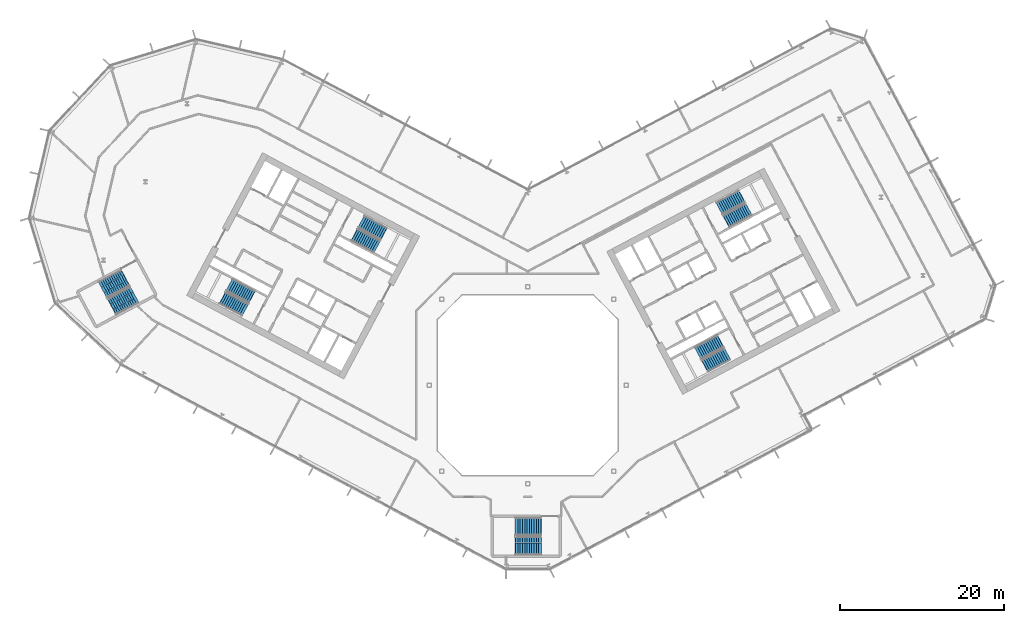
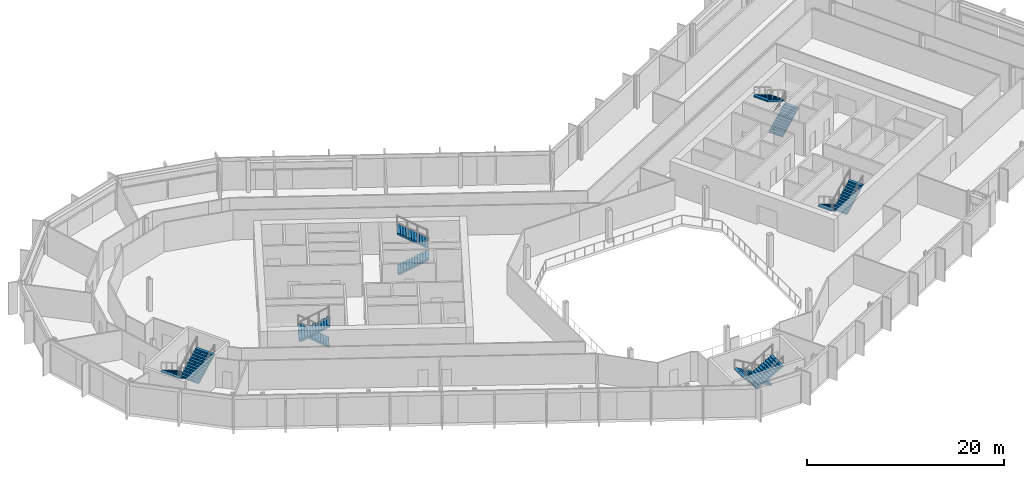
# One storey, part 18 of 28: 12 stair flights, 6 elements without a shape of their own.
"""IFC4 building model written with IfcOpenShell, lengths in metres."""

import ifcopenshell
import ifcopenshell.guid

model = None  # the IFC model being written
_history = None  # IfcOwnerHistory: only IFC2X3 demands one
_inside = {}  # id of a spatial element -> (the spatial element, [elements in it])
_under = {}  # id of a project, library or spatial element -> (it, [spatial elements below it])
_declared = {}  # id of a project -> (the project, [libraries it declares])
_typed = {}  # id of a type object -> (the type object, [elements of that type])
_made_of = {}  # id of a material, layer set ... -> (it, [elements and type objects made of it])


def new_model(schema):
    """Start an empty IFC model of exactly this schema.

    Asked for "IFC4X3", IfcOpenShell would pick the latest addendum, in which some entities
    have other attributes; the version numbers below select the first issue.
    IFC2X3 requires an IfcOwnerHistory on every rooted entity: one is made here for all.
    """
    global model, _history
    if schema == "IFC4X3":
        model = ifcopenshell.file(schema_version=(4, 3, 0, 0))
    else:
        model = ifcopenshell.file(schema=schema)
    _inside.clear()
    _under.clear()
    _declared.clear()
    _typed.clear()
    _made_of.clear()
    _history = None
    if model.schema == "IFC2X3":
        org = make("IfcOrganization", Name="unknown")
        user = make(
            "IfcPersonAndOrganization",
            ThePerson=make("IfcPerson", FamilyName="unknown"),
            TheOrganization=org,
        )
        app = make(
            "IfcApplication",
            ApplicationDeveloper=org,
            Version="unknown",
            ApplicationFullName="unknown",
            ApplicationIdentifier="unknown",
        )
        _history = make(
            "IfcOwnerHistory",
            OwningUser=user,
            OwningApplication=app,
            ChangeAction="ADDED",
            CreationDate=0,
        )
    return model


def make(cls, **values):
    """One entity of the class cls with the attributes given. An attribute that is None is left unset."""
    return model.create_entity(
        cls, **{name: value for name, value in values.items() if value is not None}
    )


def rooted(cls, **values):
    """An entity with a GlobalId (a new one), such as an element, a storey or a relation."""
    return make(cls, GlobalId=ifcopenshell.guid.new(), OwnerHistory=_history, **values)


def si_unit(unit_type, name, prefix=None):
    """IfcSIUnit, for example si_unit("LENGTHUNIT", "METRE", prefix="MILLI")."""
    return make("IfcSIUnit", UnitType=unit_type, Prefix=prefix, Name=name)


def assignment(units):
    """IfcUnitAssignment: the units of a project."""
    return None if units is None else make("IfcUnitAssignment", Units=units)


def point(xyz):
    """IfcCartesianPoint."""
    return None if xyz is None else make("IfcCartesianPoint", Coordinates=xyz)


def direction(xyz):
    """IfcDirection."""
    return None if xyz is None else make("IfcDirection", DirectionRatios=xyz)


def frame(location, z_axis=None, x_axis=None):
    """IfcAxis2Placement3D, a coordinate frame: its origin and axes. An axis left out is left unset."""
    return make(
        "IfcAxis2Placement3D",
        Location=point(location),
        Axis=direction(z_axis),
        RefDirection=direction(x_axis),
    )


def origin():
    """The frame at (0, 0, 0) with its axes left unset."""
    return frame((0.0, 0.0, 0.0))


def place(relative_to, where):
    """IfcLocalPlacement: puts the frame where relative to a parent placement (None: the world)."""
    return make(
        "IfcLocalPlacement", PlacementRelTo=relative_to, RelativePlacement=where
    )


def context(
    kind, dimensions, precision=None, world=None, true_north=None, identifier=None
):
    """IfcGeometricRepresentationContext, for example the 3D "Model" context."""
    return make(
        "IfcGeometricRepresentationContext",
        ContextIdentifier=identifier,
        ContextType=kind,
        CoordinateSpaceDimension=dimensions,
        Precision=precision,
        WorldCoordinateSystem=world,
        TrueNorth=true_north,
    )


def subcontext(parent, identifier, kind, view, scale=None):
    """IfcGeometricRepresentationSubContext, for example "Body" below "Model"."""
    return make(
        "IfcGeometricRepresentationSubContext",
        ContextIdentifier=identifier,
        ContextType=kind,
        ParentContext=parent,
        TargetScale=scale,
        TargetView=view,
    )


def project(units=None, contexts=None):
    """IfcProject with its units and contexts."""
    return rooted(
        "IfcProject",
        Name="project",
        RepresentationContexts=contexts,
        UnitsInContext=assignment(units),
    )


def spatial(cls, under=None, at=None, **own):
    """A site, building, storey or space (cls), placed at a placement, below another one or the project."""
    s = rooted(cls, ObjectPlacement=at, **own)
    if under is not None:
        _under.setdefault(under.id(), (under, []))[1].append(s)
    return s


def polyline(points):
    """IfcPolyline through the points."""
    return make("IfcPolyline", Points=[point(p) for p in points])


def outline(outer, holes=None, kind="AREA"):
    """IfcArbitraryClosedProfileDef: a profile drawn as a closed curve; with holes, ...WithVoids."""
    if holes is None:
        return make("IfcArbitraryClosedProfileDef", ProfileType=kind, OuterCurve=outer)
    return make(
        "IfcArbitraryProfileDefWithVoids",
        ProfileType=kind,
        OuterCurve=outer,
        InnerCurves=holes,
    )


def extrude(swept, where, along, depth):
    """IfcExtrudedAreaSolid: the profile swept, set in the frame where, extruded along a direction by depth."""
    return make(
        "IfcExtrudedAreaSolid",
        SweptArea=swept,
        Position=where,
        ExtrudedDirection=direction(along),
        Depth=depth,
    )


def shape(context_of_items, identifier, shape_type, items):
    """IfcShapeRepresentation: the items that make up one representation, for example the "Body"."""
    return make(
        "IfcShapeRepresentation",
        ContextOfItems=context_of_items,
        RepresentationIdentifier=identifier,
        RepresentationType=shape_type,
        Items=items,
    )


def material(Name=None, Category=None):
    """IfcMaterial."""
    return make("IfcMaterial", Name=Name, Category=Category)


def made_of(thing, what):
    """Note that an element or type object is made of a material, layer set ...; save() writes the relation."""
    if what is not None:
        _made_of.setdefault(what.id(), (what, []))[1].append(thing)
    return thing


def type_object(cls, material=None, **own):
    """A type object (cls), such as IfcWallType, which elements share."""
    return made_of(rooted(cls, **own), material)


def element(
    cls,
    number,
    at=None,
    inside=None,
    cuts=None,
    type_object=None,
    material=None,
    context=None,
    identifier="Body",
    shape_type=None,
    held_by="IfcProductDefinitionShape",
    body=None,
    shapes=None,
    **own,
):
    """One element of the class cls, such as IfcWall. Its Tag is "e" and its number.

    at: its placement. inside: the storey or other place that contains it. cuts: it is an
    opening in that element (IfcRelVoidsElement). A single representation is given by context,
    identifier, shape_type and body (its items); several are given by shapes. held_by: the class
    of the entity that holds the representations. save() writes the other relations.
    """
    e = rooted(cls, Tag="e%d" % number, ObjectPlacement=at, **own)
    if body is not None:
        shapes = [shape(context, identifier, shape_type, body)]
    if shapes is not None:
        e.Representation = make(held_by, Representations=shapes)
    if inside is not None:
        _inside.setdefault(inside.id(), (inside, []))[1].append(e)
    if cuts is not None:
        rooted(
            "IfcRelVoidsElement", RelatingBuildingElement=cuts, RelatedOpeningElement=e
        )
    if type_object is not None:
        _typed.setdefault(type_object.id(), (type_object, []))[1].append(e)
    return made_of(e, material)


def aggregate(whole, parts):
    """IfcRelAggregates: a whole, such as a stair, and the parts it consists of."""
    return rooted("IfcRelAggregates", RelatingObject=whole, RelatedObjects=parts)


def save(model, path):
    """Write the relations noted so far, then the file.

    IfcRelAggregates (storeys below a building ...), IfcRelContainedInSpatialStructure (elements
    in a storey), IfcRelDefinesByType, IfcRelAssociatesMaterial and IfcRelDeclares: one each for
    every whole, place, type object, material and project.
    """
    for whole, parts in _under.values():
        aggregate(whole, parts)
    for where, things in _inside.values():
        rooted(
            "IfcRelContainedInSpatialStructure",
            RelatedElements=things,
            RelatingStructure=where,
        )
    for kind, things in _typed.values():
        rooted("IfcRelDefinesByType", RelatedObjects=things, RelatingType=kind)
    for what, things in _made_of.values():
        rooted("IfcRelAssociatesMaterial", RelatedObjects=things, RelatingMaterial=what)
    for by, libraries in _declared.values():
        rooted("IfcRelDeclares", RelatingContext=by, RelatedDefinitions=libraries)
    model.write(path)


model = new_model("IFC4")

# Units and contexts
model_context = context("Model", 3, precision=1e-05, world=origin(), true_north=direction((0.0, 1.0)))
body_context = subcontext(model_context, "Body", "Model", "MODEL_VIEW")
ifc_project = project(units=[si_unit("LENGTHUNIT", "METRE"), si_unit("AREAUNIT", "SQUARE_METRE"), si_unit("VOLUMEUNIT", "CUBIC_METRE"), si_unit("PLANEANGLEUNIT", "RADIAN"), si_unit("MASSUNIT", "GRAM", prefix="KILO")], contexts=[model_context])

# Site, building, storey
site_placement = place(None, origin())
site = spatial("IfcSite", under=ifc_project, at=site_placement, CompositionType="ELEMENT")
building_placement = place(site_placement, origin())
building = spatial("IfcBuilding", under=site, at=building_placement, Name="Cormorant Relay Tower", CompositionType="ELEMENT")
storey_placement = place(building_placement, frame((0.0, 0.0, 154.199951171875)))
storey = spatial("IfcBuildingStorey", under=building, at=storey_placement, Name="L32", CompositionType="ELEMENT", Elevation=154.199951171875)

# Stair, stair flights
ifc_material_1 = material(Name="Concrete 40 MPa", Category="concrete")
stair_type_1 = type_object("IfcStairType", Name="Exit stair 1500", PredefinedType="HALF_TURN_STAIR", material=ifc_material_1)
stair_1_placement = place(storey_placement, origin())
stair_1 = element("IfcStair", 1, at=stair_1_placement, inside=storey, type_object=stair_type_1, Name="L32 Stair", PredefinedType="HALF_TURN_STAIR")
ifc_material_2 = material(Name="Concrete 40 MPa", Category="concrete")
stair_flight_type_1 = type_object("IfcStairFlightType", Name="Exit stair flight 1650", PredefinedType="STRAIGHT", material=ifc_material_2)
stair_flight_1_placement = place(storey_placement, frame((-21.114501953125, 18.33349609375, 0.0), z_axis=(0.0, 0.0, 1.0), x_axis=(0.882947592859, -0.469471562786, 0.0)))
stair_flight_1 = element("IfcStairFlight", 2, at=stair_flight_1_placement, type_object=stair_flight_type_1, Name="A1 flight 1", NumberOfRisers=12, NumberOfTreads=11, PredefinedType="STRAIGHT", RiserHeight=0.166666667, TreadLength=0.28, context=body_context, shape_type="SweptSolid", body=[
    extrude(outline(polyline([(-0.050048828125, -0.080078125), (-0.050048828125, 0.0), (0.0, 0.0), (0.0, 0.166748046875), (0.280029296875, 0.166748046875), (0.280029296875, 0.333251953125), (0.56005859375, 0.333251953125), (0.56005859375, 0.5), (0.840087890625, 0.5), (0.840087890625, 0.666748046875), (1.1201171875, 0.666748046875), (1.1201171875, 0.833251953125), (1.39990234375, 0.833251953125), (1.39990234375, 1.0), (1.679931640625, 1.0), (1.679931640625, 1.166748046875), (1.9599609375, 1.166748046875), (1.9599609375, 1.333251953125), (2.239990234375, 1.333251953125), (2.239990234375, 1.5), (2.52001953125, 1.5), (2.52001953125, 1.666748046875), (2.800048828125, 1.666748046875), (2.800048828125, 1.833251953125), (3.080078125, 1.833251953125), (3.130126953125, 1.833251953125), (3.130126953125, 1.658935546875), (3.080078125, 1.658935546875), (0.29296875, 0.0), (-0.050048828125, -0.080078125)])), frame((0.0, 0.824951171875, 0.0), z_axis=(0.0, -1.0, 0.0), x_axis=(1.0, 0.0, 0.0)), (0.0, 0.0, 1.0), 1.64990234375),
])
stair_flight_2_placement = place(storey_placement, frame((-17.5498046875, 18.47705078125, 2.0), z_axis=(0.0, 0.0, 1.0), x_axis=(-0.882947592859, 0.469471562786, 0.0)))
stair_flight_2 = element("IfcStairFlight", 3, at=stair_flight_2_placement, type_object=stair_flight_type_1, Name="A1 flight 2", NumberOfRisers=12, NumberOfTreads=11, PredefinedType="STRAIGHT", RiserHeight=0.166666667, TreadLength=0.28, context=body_context, shape_type="SweptSolid", body=[
    extrude(outline(polyline([(-0.050048828125, -0.080078125), (-0.050048828125, 0.0), (0.0, 0.0), (0.0, 0.166748046875), (0.280029296875, 0.166748046875), (0.280029296875, 0.333251953125), (0.56005859375, 0.333251953125), (0.56005859375, 0.5), (0.840087890625, 0.5), (0.840087890625, 0.666748046875), (1.1201171875, 0.666748046875), (1.1201171875, 0.833251953125), (1.39990234375, 0.833251953125), (1.39990234375, 1.0), (1.679931640625, 1.0), (1.679931640625, 1.166748046875), (1.9599609375, 1.166748046875), (1.9599609375, 1.333251953125), (2.239990234375, 1.333251953125), (2.239990234375, 1.5), (2.52001953125, 1.5), (2.52001953125, 1.666748046875), (2.800048828125, 1.666748046875), (2.800048828125, 1.833251953125), (3.080078125, 1.833251953125), (3.130126953125, 1.833251953125), (3.130126953125, 1.658935546875), (3.080078125, 1.658935546875), (0.29296875, 0.0), (-0.050048828125, -0.080078125)])), frame((0.0, 0.824951171875, 0.0), z_axis=(0.0, -1.0, 0.0), x_axis=(1.0, 0.0, 0.0)), (0.0, 0.0, 1.0), 1.64990234375),
])
aggregate(stair_1, [stair_flight_1, stair_flight_2])

stair_2_placement = place(storey_placement, origin())
stair_2 = element("IfcStair", 4, at=stair_2_placement, inside=storey, type_object=stair_type_1, Name="L32 Stair", PredefinedType="HALF_TURN_STAIR")
stair_flight_3_placement = place(storey_placement, frame((-33.62841796875, 10.773681640625, 0.0), z_axis=(0.0, 0.0, 1.0), x_axis=(-0.882947592859, 0.469471562786, 0.0)))
stair_flight_3 = element("IfcStairFlight", 5, at=stair_flight_3_placement, type_object=stair_flight_type_1, Name="A2 flight 1", NumberOfRisers=12, NumberOfTreads=11, PredefinedType="STRAIGHT", RiserHeight=0.166666667, TreadLength=0.28, context=body_context, shape_type="SweptSolid", body=[
    extrude(outline(polyline([(-0.050048828125, -0.080078125), (-0.050048828125, 0.0), (0.0, 0.0), (0.0, 0.166748046875), (0.280029296875, 0.166748046875), (0.280029296875, 0.333251953125), (0.56005859375, 0.333251953125), (0.56005859375, 0.5), (0.840087890625, 0.5), (0.840087890625, 0.666748046875), (1.1201171875, 0.666748046875), (1.1201171875, 0.833251953125), (1.39990234375, 0.833251953125), (1.39990234375, 1.0), (1.679931640625, 1.0), (1.679931640625, 1.166748046875), (1.9599609375, 1.166748046875), (1.9599609375, 1.333251953125), (2.239990234375, 1.333251953125), (2.239990234375, 1.5), (2.52001953125, 1.5), (2.52001953125, 1.666748046875), (2.800048828125, 1.666748046875), (2.800048828125, 1.833251953125), (3.080078125, 1.833251953125), (3.130126953125, 1.833251953125), (3.130126953125, 1.658935546875), (3.080078125, 1.658935546875), (0.29296875, 0.0), (-0.050048828125, -0.080078125)])), frame((0.0, 0.824951171875, 0.0), z_axis=(0.0, -1.0, 0.0), x_axis=(1.0, 0.0, 0.0)), (0.0, 0.0, 1.0), 1.64990234375),
])
stair_flight_4_placement = place(storey_placement, frame((-37.19287109375, 10.63037109375, 2.0), z_axis=(0.0, 0.0, 1.0), x_axis=(0.882947592859, -0.469471562786, 0.0)))
stair_flight_4 = element("IfcStairFlight", 6, at=stair_flight_4_placement, type_object=stair_flight_type_1, Name="A2 flight 2", NumberOfRisers=12, NumberOfTreads=11, PredefinedType="STRAIGHT", RiserHeight=0.166666667, TreadLength=0.28, context=body_context, shape_type="SweptSolid", body=[
    extrude(outline(polyline([(-0.050048828125, -0.080078125), (-0.050048828125, 0.0), (0.0, 0.0), (0.0, 0.166748046875), (0.280029296875, 0.166748046875), (0.280029296875, 0.333251953125), (0.56005859375, 0.333251953125), (0.56005859375, 0.5), (0.840087890625, 0.5), (0.840087890625, 0.666748046875), (1.1201171875, 0.666748046875), (1.1201171875, 0.833251953125), (1.39990234375, 0.833251953125), (1.39990234375, 1.0), (1.679931640625, 1.0), (1.679931640625, 1.166748046875), (1.9599609375, 1.166748046875), (1.9599609375, 1.333251953125), (2.239990234375, 1.333251953125), (2.239990234375, 1.5), (2.52001953125, 1.5), (2.52001953125, 1.666748046875), (2.800048828125, 1.666748046875), (2.800048828125, 1.833251953125), (3.080078125, 1.833251953125), (3.130126953125, 1.833251953125), (3.130126953125, 1.658935546875), (3.080078125, 1.658935546875), (0.29296875, 0.0), (-0.050048828125, -0.080078125)])), frame((0.0, 0.824951171875, 0.0), z_axis=(0.0, -1.0, 0.0), x_axis=(1.0, 0.0, 0.0)), (0.0, 0.0, 1.0), 1.64990234375),
])
aggregate(stair_2, [stair_flight_3, stair_flight_4])

stair_3_placement = place(storey_placement, origin())
stair_3 = element("IfcStair", 7, at=stair_3_placement, inside=storey, type_object=stair_type_1, Name="L32 Stair", PredefinedType="HALF_TURN_STAIR")
stair_flight_5_placement = place(storey_placement, frame((23.474365234375, 5.374755859375, 0.0), z_axis=(0.0, 0.0, 1.0), x_axis=(-0.882947592859, -0.469471562786, 0.0)))
stair_flight_5 = element("IfcStairFlight", 8, at=stair_flight_5_placement, type_object=stair_flight_type_1, Name="B1 flight 1", NumberOfRisers=12, NumberOfTreads=11, PredefinedType="STRAIGHT", RiserHeight=0.166666667, TreadLength=0.28, context=body_context, shape_type="SweptSolid", body=[
    extrude(outline(polyline([(-0.050048828125, -0.080078125), (-0.050048828125, 0.0), (0.0, 0.0), (0.0, 0.166748046875), (0.280029296875, 0.166748046875), (0.280029296875, 0.333251953125), (0.56005859375, 0.333251953125), (0.56005859375, 0.5), (0.840087890625, 0.5), (0.840087890625, 0.666748046875), (1.1201171875, 0.666748046875), (1.1201171875, 0.833251953125), (1.39990234375, 0.833251953125), (1.39990234375, 1.0), (1.679931640625, 1.0), (1.679931640625, 1.166748046875), (1.9599609375, 1.166748046875), (1.9599609375, 1.333251953125), (2.239990234375, 1.333251953125), (2.239990234375, 1.5), (2.52001953125, 1.5), (2.52001953125, 1.666748046875), (2.800048828125, 1.666748046875), (2.800048828125, 1.833251953125), (3.080078125, 1.833251953125), (3.130126953125, 1.833251953125), (3.130126953125, 1.658935546875), (3.080078125, 1.658935546875), (0.29296875, 0.0), (-0.050048828125, -0.080078125)])), frame((0.0, 0.824951171875, 0.0), z_axis=(0.0, -1.0, 0.0), x_axis=(1.0, 0.0, 0.0)), (0.0, 0.0, 1.0), 1.64990234375),
])
stair_flight_6_placement = place(storey_placement, frame((21.60009765625, 2.33935546875, 2.0), z_axis=(0.0, 0.0, 1.0), x_axis=(0.882947592859, 0.469471562786, 0.0)))
stair_flight_6 = element("IfcStairFlight", 9, at=stair_flight_6_placement, type_object=stair_flight_type_1, Name="B1 flight 2", NumberOfRisers=12, NumberOfTreads=11, PredefinedType="STRAIGHT", RiserHeight=0.166666667, TreadLength=0.28, context=body_context, shape_type="SweptSolid", body=[
    extrude(outline(polyline([(-0.050048828125, -0.080078125), (-0.050048828125, 0.0), (0.0, 0.0), (0.0, 0.166748046875), (0.280029296875, 0.166748046875), (0.280029296875, 0.333251953125), (0.56005859375, 0.333251953125), (0.56005859375, 0.5), (0.840087890625, 0.5), (0.840087890625, 0.666748046875), (1.1201171875, 0.666748046875), (1.1201171875, 0.833251953125), (1.39990234375, 0.833251953125), (1.39990234375, 1.0), (1.679931640625, 1.0), (1.679931640625, 1.166748046875), (1.9599609375, 1.166748046875), (1.9599609375, 1.333251953125), (2.239990234375, 1.333251953125), (2.239990234375, 1.5), (2.52001953125, 1.5), (2.52001953125, 1.666748046875), (2.800048828125, 1.666748046875), (2.800048828125, 1.833251953125), (3.080078125, 1.833251953125), (3.130126953125, 1.833251953125), (3.130126953125, 1.658935546875), (3.080078125, 1.658935546875), (0.29296875, 0.0), (-0.050048828125, -0.080078125)])), frame((0.0, 0.824951171875, 0.0), z_axis=(0.0, -1.0, 0.0), x_axis=(1.0, 0.0, 0.0)), (0.0, 0.0, 1.0), 1.64990234375),
])
aggregate(stair_3, [stair_flight_5, stair_flight_6])

stair_4_placement = place(storey_placement, origin())
stair_4 = element("IfcStair", 10, at=stair_4_placement, inside=storey, type_object=stair_type_1, Name="L32 Stair", PredefinedType="HALF_TURN_STAIR")
stair_flight_7_placement = place(storey_placement, frame((24.20458984375, 19.976806640625, 0.0), z_axis=(0.0, 0.0, 1.0), x_axis=(0.882947592859, 0.469471562786, 0.0)))
stair_flight_7 = element("IfcStairFlight", 11, at=stair_flight_7_placement, type_object=stair_flight_type_1, Name="B2 flight 1", NumberOfRisers=12, NumberOfTreads=11, PredefinedType="STRAIGHT", RiserHeight=0.166666667, TreadLength=0.28, context=body_context, shape_type="SweptSolid", body=[
    extrude(outline(polyline([(-0.050048828125, -0.080078125), (-0.050048828125, 0.0), (0.0, 0.0), (0.0, 0.166748046875), (0.280029296875, 0.166748046875), (0.280029296875, 0.333251953125), (0.56005859375, 0.333251953125), (0.56005859375, 0.5), (0.840087890625, 0.5), (0.840087890625, 0.666748046875), (1.1201171875, 0.666748046875), (1.1201171875, 0.833251953125), (1.39990234375, 0.833251953125), (1.39990234375, 1.0), (1.679931640625, 1.0), (1.679931640625, 1.166748046875), (1.9599609375, 1.166748046875), (1.9599609375, 1.333251953125), (2.239990234375, 1.333251953125), (2.239990234375, 1.5), (2.52001953125, 1.5), (2.52001953125, 1.666748046875), (2.800048828125, 1.666748046875), (2.800048828125, 1.833251953125), (3.080078125, 1.833251953125), (3.130126953125, 1.833251953125), (3.130126953125, 1.658935546875), (3.080078125, 1.658935546875), (0.29296875, 0.0), (-0.050048828125, -0.080078125)])), frame((0.0, 0.824951171875, 0.0), z_axis=(0.0, -1.0, 0.0), x_axis=(1.0, 0.0, 0.0)), (0.0, 0.0, 1.0), 1.64990234375),
])
stair_flight_8_placement = place(storey_placement, frame((26.0791015625, 23.011962890625, 2.0), z_axis=(0.0, 0.0, 1.0), x_axis=(-0.882947592859, -0.469471562786, 0.0)))
stair_flight_8 = element("IfcStairFlight", 12, at=stair_flight_8_placement, type_object=stair_flight_type_1, Name="B2 flight 2", NumberOfRisers=12, NumberOfTreads=11, PredefinedType="STRAIGHT", RiserHeight=0.166666667, TreadLength=0.28, context=body_context, shape_type="SweptSolid", body=[
    extrude(outline(polyline([(-0.050048828125, -0.080078125), (-0.050048828125, 0.0), (0.0, 0.0), (0.0, 0.166748046875), (0.280029296875, 0.166748046875), (0.280029296875, 0.333251953125), (0.56005859375, 0.333251953125), (0.56005859375, 0.5), (0.840087890625, 0.5), (0.840087890625, 0.666748046875), (1.1201171875, 0.666748046875), (1.1201171875, 0.833251953125), (1.39990234375, 0.833251953125), (1.39990234375, 1.0), (1.679931640625, 1.0), (1.679931640625, 1.166748046875), (1.9599609375, 1.166748046875), (1.9599609375, 1.333251953125), (2.239990234375, 1.333251953125), (2.239990234375, 1.5), (2.52001953125, 1.5), (2.52001953125, 1.666748046875), (2.800048828125, 1.666748046875), (2.800048828125, 1.833251953125), (3.080078125, 1.833251953125), (3.130126953125, 1.833251953125), (3.130126953125, 1.658935546875), (3.080078125, 1.658935546875), (0.29296875, 0.0), (-0.050048828125, -0.080078125)])), frame((0.0, 0.824951171875, 0.0), z_axis=(0.0, -1.0, 0.0), x_axis=(1.0, 0.0, 0.0)), (0.0, 0.0, 1.0), 1.64990234375),
])
aggregate(stair_4, [stair_flight_7, stair_flight_8])

ifc_material_3 = material(Name="Concrete 40 MPa", Category="concrete")
stair_type_2 = type_object("IfcStairType", Name="Remote exit stair 2200", PredefinedType="HALF_TURN_STAIR", material=ifc_material_3)
stair_5_placement = place(storey_placement, origin())
stair_5 = element("IfcStair", 13, at=stair_5_placement, inside=storey, type_object=stair_type_2, Name="L32 Stair", PredefinedType="HALF_TURN_STAIR")
ifc_material_4 = material(Name="Concrete 40 MPa", Category="concrete")
stair_flight_type_2 = type_object("IfcStairFlightType", Name="Remote exit stair flight 2200", PredefinedType="STRAIGHT", material=ifc_material_4)
stair_flight_9_placement = place(storey_placement, frame((1.60009765625, -17.22509765625, 0.0), z_axis=(0.0, 0.0, 1.0), x_axis=(-1.0, 0.0, 0.0)))
stair_flight_9 = element("IfcStairFlight", 14, at=stair_flight_9_placement, type_object=stair_flight_type_2, Name="RK1 flight 1", NumberOfRisers=12, NumberOfTreads=11, PredefinedType="STRAIGHT", RiserHeight=0.166666667, TreadLength=0.28, context=body_context, shape_type="SweptSolid", body=[
    extrude(outline(polyline([(-0.050048828125, -0.080078125), (-0.050048828125, 0.0), (0.0, 0.0), (0.0, 0.166748046875), (0.280029296875, 0.166748046875), (0.280029296875, 0.333251953125), (0.56005859375, 0.333251953125), (0.56005859375, 0.5), (0.840087890625, 0.5), (0.840087890625, 0.666748046875), (1.1201171875, 0.666748046875), (1.1201171875, 0.833251953125), (1.39990234375, 0.833251953125), (1.39990234375, 1.0), (1.679931640625, 1.0), (1.679931640625, 1.166748046875), (1.9599609375, 1.166748046875), (1.9599609375, 1.333251953125), (2.239990234375, 1.333251953125), (2.239990234375, 1.5), (2.52001953125, 1.5), (2.52001953125, 1.666748046875), (2.800048828125, 1.666748046875), (2.800048828125, 1.833251953125), (3.080078125, 1.833251953125), (3.130126953125, 1.833251953125), (3.130126953125, 1.658935546875), (3.080078125, 1.658935546875), (0.29296875, 0.0), (-0.050048828125, -0.080078125)])), frame((0.0, 1.10009765625, 0.0), z_axis=(0.0, -1.0, 0.0), x_axis=(1.0, 0.0, 0.0)), (0.0, 0.0, 1.0), 0.719970703125),
    extrude(outline(polyline([(-0.050048828125, -0.080078125), (-0.050048828125, 0.0), (0.0, 0.0), (0.0, 0.166748046875), (0.280029296875, 0.166748046875), (0.280029296875, 0.333251953125), (0.56005859375, 0.333251953125), (0.56005859375, 0.5), (0.840087890625, 0.5), (0.840087890625, 0.666748046875), (1.1201171875, 0.666748046875), (1.1201171875, 0.833251953125), (1.39990234375, 0.833251953125), (1.39990234375, 1.0), (1.679931640625, 1.0), (1.679931640625, 1.166748046875), (1.9599609375, 1.166748046875), (1.9599609375, 1.333251953125), (2.239990234375, 1.333251953125), (2.239990234375, 1.5), (2.52001953125, 1.5), (2.52001953125, 1.666748046875), (2.800048828125, 1.666748046875), (2.800048828125, 1.833251953125), (3.080078125, 1.833251953125), (3.130126953125, 1.833251953125), (3.130126953125, 1.658935546875), (3.080078125, 1.658935546875), (0.29296875, 0.0), (-0.050048828125, -0.080078125)])), frame((0.0, 0.360107421875, 0.0), z_axis=(0.0, -1.0, 0.0), x_axis=(1.0, 0.0, 0.0)), (0.0, 0.0, 1.0), 0.719970703125),
    extrude(outline(polyline([(-0.050048828125, -0.080078125), (-0.050048828125, 0.0), (0.0, 0.0), (0.0, 0.166748046875), (0.280029296875, 0.166748046875), (0.280029296875, 0.333251953125), (0.56005859375, 0.333251953125), (0.56005859375, 0.5), (0.840087890625, 0.5), (0.840087890625, 0.666748046875), (1.1201171875, 0.666748046875), (1.1201171875, 0.833251953125), (1.39990234375, 0.833251953125), (1.39990234375, 1.0), (1.679931640625, 1.0), (1.679931640625, 1.166748046875), (1.9599609375, 1.166748046875), (1.9599609375, 1.333251953125), (2.239990234375, 1.333251953125), (2.239990234375, 1.5), (2.52001953125, 1.5), (2.52001953125, 1.666748046875), (2.800048828125, 1.666748046875), (2.800048828125, 1.833251953125), (3.080078125, 1.833251953125), (3.130126953125, 1.833251953125), (3.130126953125, 1.658935546875), (3.080078125, 1.658935546875), (0.29296875, 0.0), (-0.050048828125, -0.080078125)])), frame((0.0, -0.3798828125, 0.0), z_axis=(0.0, -1.0, 0.0), x_axis=(1.0, 0.0, 0.0)), (0.0, 0.0, 1.0), 0.719970703125),
])
stair_flight_10_placement = place(storey_placement, frame((-1.47998046875, -19.574951171875, 2.0), z_axis=(0.0, 0.0, 1.0), x_axis=(1.0, 0.0, 0.0)))
stair_flight_10 = element("IfcStairFlight", 15, at=stair_flight_10_placement, type_object=stair_flight_type_2, Name="RK1 flight 2", NumberOfRisers=12, NumberOfTreads=11, PredefinedType="STRAIGHT", RiserHeight=0.166666667, TreadLength=0.28, context=body_context, shape_type="SweptSolid", body=[
    extrude(outline(polyline([(-0.050048828125, -0.080078125), (-0.050048828125, 0.0), (0.0, 0.0), (0.0, 0.166748046875), (0.280029296875, 0.166748046875), (0.280029296875, 0.333251953125), (0.56005859375, 0.333251953125), (0.56005859375, 0.5), (0.840087890625, 0.5), (0.840087890625, 0.666748046875), (1.1201171875, 0.666748046875), (1.1201171875, 0.833251953125), (1.39990234375, 0.833251953125), (1.39990234375, 1.0), (1.679931640625, 1.0), (1.679931640625, 1.166748046875), (1.9599609375, 1.166748046875), (1.9599609375, 1.333251953125), (2.239990234375, 1.333251953125), (2.239990234375, 1.5), (2.52001953125, 1.5), (2.52001953125, 1.666748046875), (2.800048828125, 1.666748046875), (2.800048828125, 1.833251953125), (3.080078125, 1.833251953125), (3.130126953125, 1.833251953125), (3.130126953125, 1.658935546875), (3.080078125, 1.658935546875), (0.29296875, 0.0), (-0.050048828125, -0.080078125)])), frame((0.0, 1.10009765625, 0.0), z_axis=(0.0, -1.0, 0.0), x_axis=(1.0, 0.0, 0.0)), (0.0, 0.0, 1.0), 0.719970703125),
    extrude(outline(polyline([(-0.050048828125, -0.080078125), (-0.050048828125, 0.0), (0.0, 0.0), (0.0, 0.166748046875), (0.280029296875, 0.166748046875), (0.280029296875, 0.333251953125), (0.56005859375, 0.333251953125), (0.56005859375, 0.5), (0.840087890625, 0.5), (0.840087890625, 0.666748046875), (1.1201171875, 0.666748046875), (1.1201171875, 0.833251953125), (1.39990234375, 0.833251953125), (1.39990234375, 1.0), (1.679931640625, 1.0), (1.679931640625, 1.166748046875), (1.9599609375, 1.166748046875), (1.9599609375, 1.333251953125), (2.239990234375, 1.333251953125), (2.239990234375, 1.5), (2.52001953125, 1.5), (2.52001953125, 1.666748046875), (2.800048828125, 1.666748046875), (2.800048828125, 1.833251953125), (3.080078125, 1.833251953125), (3.130126953125, 1.833251953125), (3.130126953125, 1.658935546875), (3.080078125, 1.658935546875), (0.29296875, 0.0), (-0.050048828125, -0.080078125)])), frame((0.0, 0.360107421875, 0.0), z_axis=(0.0, -1.0, 0.0), x_axis=(1.0, 0.0, 0.0)), (0.0, 0.0, 1.0), 0.719970703125),
    extrude(outline(polyline([(-0.050048828125, -0.080078125), (-0.050048828125, 0.0), (0.0, 0.0), (0.0, 0.166748046875), (0.280029296875, 0.166748046875), (0.280029296875, 0.333251953125), (0.56005859375, 0.333251953125), (0.56005859375, 0.5), (0.840087890625, 0.5), (0.840087890625, 0.666748046875), (1.1201171875, 0.666748046875), (1.1201171875, 0.833251953125), (1.39990234375, 0.833251953125), (1.39990234375, 1.0), (1.679931640625, 1.0), (1.679931640625, 1.166748046875), (1.9599609375, 1.166748046875), (1.9599609375, 1.333251953125), (2.239990234375, 1.333251953125), (2.239990234375, 1.5), (2.52001953125, 1.5), (2.52001953125, 1.666748046875), (2.800048828125, 1.666748046875), (2.800048828125, 1.833251953125), (3.080078125, 1.833251953125), (3.130126953125, 1.833251953125), (3.130126953125, 1.658935546875), (3.080078125, 1.658935546875), (0.29296875, 0.0), (-0.050048828125, -0.080078125)])), frame((0.0, -0.3798828125, 0.0), z_axis=(0.0, -1.0, 0.0), x_axis=(1.0, 0.0, 0.0)), (0.0, 0.0, 1.0), 0.719970703125),
])
aggregate(stair_5, [stair_flight_9, stair_flight_10])

stair_6_placement = place(storey_placement, origin())
stair_6 = element("IfcStair", 16, at=stair_6_placement, inside=storey, type_object=stair_type_2, Name="L32 Stair", PredefinedType="HALF_TURN_STAIR")
stair_flight_11_placement = place(storey_placement, frame((-49.062255859375, 13.08251953125, 0.0), z_axis=(0.0, 0.0, 1.0), x_axis=(-0.882947502727, -0.4694717323, 0.0)))
stair_flight_11 = element("IfcStairFlight", 17, at=stair_flight_11_placement, type_object=stair_flight_type_2, Name="RP1 flight 1", NumberOfRisers=12, NumberOfTreads=11, PredefinedType="STRAIGHT", RiserHeight=0.166666667, TreadLength=0.28, context=body_context, shape_type="SweptSolid", body=[
    extrude(outline(polyline([(-0.050048828125, -0.080078125), (-0.050048828125, 0.0), (0.0, 0.0), (0.0, 0.166748046875), (0.280029296875, 0.166748046875), (0.280029296875, 0.333251953125), (0.56005859375, 0.333251953125), (0.56005859375, 0.5), (0.840087890625, 0.5), (0.840087890625, 0.666748046875), (1.1201171875, 0.666748046875), (1.1201171875, 0.833251953125), (1.39990234375, 0.833251953125), (1.39990234375, 1.0), (1.679931640625, 1.0), (1.679931640625, 1.166748046875), (1.9599609375, 1.166748046875), (1.9599609375, 1.333251953125), (2.239990234375, 1.333251953125), (2.239990234375, 1.5), (2.52001953125, 1.5), (2.52001953125, 1.666748046875), (2.800048828125, 1.666748046875), (2.800048828125, 1.833251953125), (3.080078125, 1.833251953125), (3.130126953125, 1.833251953125), (3.130126953125, 1.658935546875), (3.080078125, 1.658935546875), (0.29296875, 0.0), (-0.050048828125, -0.080078125)])), frame((0.0, 1.10009765625, 0.0), z_axis=(0.0, -1.0, 0.0), x_axis=(1.0, 0.0, 0.0)), (0.0, 0.0, 1.0), 0.719970703125),
    extrude(outline(polyline([(-0.050048828125, -0.080078125), (-0.050048828125, 0.0), (0.0, 0.0), (0.0, 0.166748046875), (0.280029296875, 0.166748046875), (0.280029296875, 0.333251953125), (0.56005859375, 0.333251953125), (0.56005859375, 0.5), (0.840087890625, 0.5), (0.840087890625, 0.666748046875), (1.1201171875, 0.666748046875), (1.1201171875, 0.833251953125), (1.39990234375, 0.833251953125), (1.39990234375, 1.0), (1.679931640625, 1.0), (1.679931640625, 1.166748046875), (1.9599609375, 1.166748046875), (1.9599609375, 1.333251953125), (2.239990234375, 1.333251953125), (2.239990234375, 1.5), (2.52001953125, 1.5), (2.52001953125, 1.666748046875), (2.800048828125, 1.666748046875), (2.800048828125, 1.833251953125), (3.080078125, 1.833251953125), (3.130126953125, 1.833251953125), (3.130126953125, 1.658935546875), (3.080078125, 1.658935546875), (0.29296875, 0.0), (-0.050048828125, -0.080078125)])), frame((0.0, 0.360107421875, 0.0), z_axis=(0.0, -1.0, 0.0), x_axis=(1.0, 0.0, 0.0)), (0.0, 0.0, 1.0), 0.719970703125),
    extrude(outline(polyline([(-0.050048828125, -0.080078125), (-0.050048828125, 0.0), (0.0, 0.0), (0.0, 0.166748046875), (0.280029296875, 0.166748046875), (0.280029296875, 0.333251953125), (0.56005859375, 0.333251953125), (0.56005859375, 0.5), (0.840087890625, 0.5), (0.840087890625, 0.666748046875), (1.1201171875, 0.666748046875), (1.1201171875, 0.833251953125), (1.39990234375, 0.833251953125), (1.39990234375, 1.0), (1.679931640625, 1.0), (1.679931640625, 1.166748046875), (1.9599609375, 1.166748046875), (1.9599609375, 1.333251953125), (2.239990234375, 1.333251953125), (2.239990234375, 1.5), (2.52001953125, 1.5), (2.52001953125, 1.666748046875), (2.800048828125, 1.666748046875), (2.800048828125, 1.833251953125), (3.080078125, 1.833251953125), (3.130126953125, 1.833251953125), (3.130126953125, 1.658935546875), (3.080078125, 1.658935546875), (0.29296875, 0.0), (-0.050048828125, -0.080078125)])), frame((0.0, -0.3798828125, 0.0), z_axis=(0.0, -1.0, 0.0), x_axis=(1.0, 0.0, 0.0)), (0.0, 0.0, 1.0), 0.719970703125),
])
stair_flight_12_placement = place(storey_placement, frame((-50.678466796875, 9.5615234375, 2.0), z_axis=(0.0, 0.0, 1.0), x_axis=(0.882947502727, 0.4694717323, 0.0)))
stair_flight_12 = element("IfcStairFlight", 18, at=stair_flight_12_placement, type_object=stair_flight_type_2, Name="RP1 flight 2", NumberOfRisers=12, NumberOfTreads=11, PredefinedType="STRAIGHT", RiserHeight=0.166666667, TreadLength=0.28, context=body_context, shape_type="SweptSolid", body=[
    extrude(outline(polyline([(-0.050048828125, -0.080078125), (-0.050048828125, 0.0), (0.0, 0.0), (0.0, 0.166748046875), (0.280029296875, 0.166748046875), (0.280029296875, 0.333251953125), (0.56005859375, 0.333251953125), (0.56005859375, 0.5), (0.840087890625, 0.5), (0.840087890625, 0.666748046875), (1.1201171875, 0.666748046875), (1.1201171875, 0.833251953125), (1.39990234375, 0.833251953125), (1.39990234375, 1.0), (1.679931640625, 1.0), (1.679931640625, 1.166748046875), (1.9599609375, 1.166748046875), (1.9599609375, 1.333251953125), (2.239990234375, 1.333251953125), (2.239990234375, 1.5), (2.52001953125, 1.5), (2.52001953125, 1.666748046875), (2.800048828125, 1.666748046875), (2.800048828125, 1.833251953125), (3.080078125, 1.833251953125), (3.130126953125, 1.833251953125), (3.130126953125, 1.658935546875), (3.080078125, 1.658935546875), (0.29296875, 0.0), (-0.050048828125, -0.080078125)])), frame((0.0, 1.10009765625, 0.0), z_axis=(0.0, -1.0, 0.0), x_axis=(1.0, 0.0, 0.0)), (0.0, 0.0, 1.0), 0.719970703125),
    extrude(outline(polyline([(-0.050048828125, -0.080078125), (-0.050048828125, 0.0), (0.0, 0.0), (0.0, 0.166748046875), (0.280029296875, 0.166748046875), (0.280029296875, 0.333251953125), (0.56005859375, 0.333251953125), (0.56005859375, 0.5), (0.840087890625, 0.5), (0.840087890625, 0.666748046875), (1.1201171875, 0.666748046875), (1.1201171875, 0.833251953125), (1.39990234375, 0.833251953125), (1.39990234375, 1.0), (1.679931640625, 1.0), (1.679931640625, 1.166748046875), (1.9599609375, 1.166748046875), (1.9599609375, 1.333251953125), (2.239990234375, 1.333251953125), (2.239990234375, 1.5), (2.52001953125, 1.5), (2.52001953125, 1.666748046875), (2.800048828125, 1.666748046875), (2.800048828125, 1.833251953125), (3.080078125, 1.833251953125), (3.130126953125, 1.833251953125), (3.130126953125, 1.658935546875), (3.080078125, 1.658935546875), (0.29296875, 0.0), (-0.050048828125, -0.080078125)])), frame((0.0, 0.360107421875, 0.0), z_axis=(0.0, -1.0, 0.0), x_axis=(1.0, 0.0, 0.0)), (0.0, 0.0, 1.0), 0.719970703125),
    extrude(outline(polyline([(-0.050048828125, -0.080078125), (-0.050048828125, 0.0), (0.0, 0.0), (0.0, 0.166748046875), (0.280029296875, 0.166748046875), (0.280029296875, 0.333251953125), (0.56005859375, 0.333251953125), (0.56005859375, 0.5), (0.840087890625, 0.5), (0.840087890625, 0.666748046875), (1.1201171875, 0.666748046875), (1.1201171875, 0.833251953125), (1.39990234375, 0.833251953125), (1.39990234375, 1.0), (1.679931640625, 1.0), (1.679931640625, 1.166748046875), (1.9599609375, 1.166748046875), (1.9599609375, 1.333251953125), (2.239990234375, 1.333251953125), (2.239990234375, 1.5), (2.52001953125, 1.5), (2.52001953125, 1.666748046875), (2.800048828125, 1.666748046875), (2.800048828125, 1.833251953125), (3.080078125, 1.833251953125), (3.130126953125, 1.833251953125), (3.130126953125, 1.658935546875), (3.080078125, 1.658935546875), (0.29296875, 0.0), (-0.050048828125, -0.080078125)])), frame((0.0, -0.3798828125, 0.0), z_axis=(0.0, -1.0, 0.0), x_axis=(1.0, 0.0, 0.0)), (0.0, 0.0, 1.0), 0.719970703125),
])
aggregate(stair_6, [stair_flight_11, stair_flight_12])

save(model, "model.ifc")
